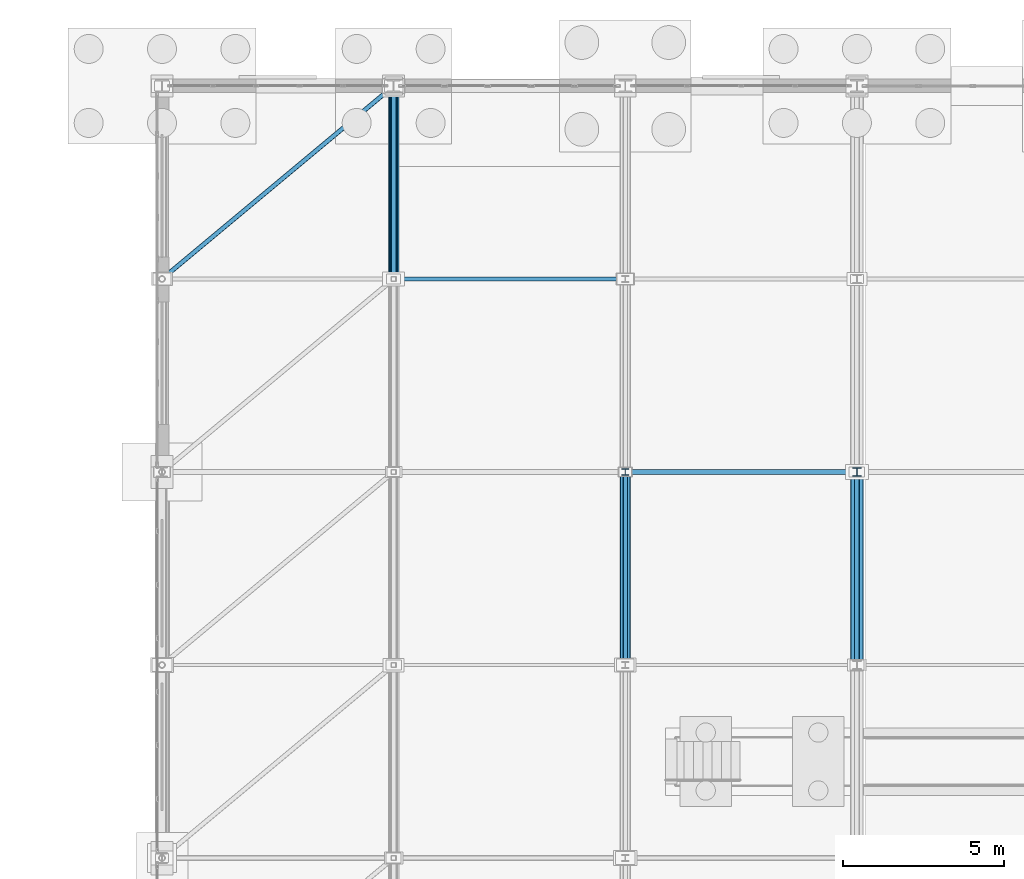
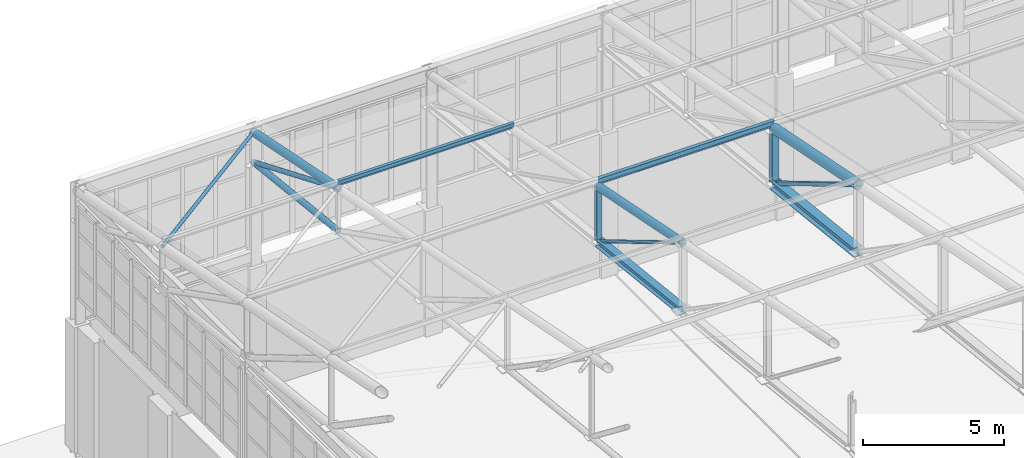
# One storey, part 200 of 293: 14 members.
"""IFC4 building model written with IfcOpenShell, lengths in metres."""

import ifcopenshell
import ifcopenshell.guid

model = None  # the IFC model being written
_history = None  # IfcOwnerHistory: only IFC2X3 demands one
_inside = {}  # id of a spatial element -> (the spatial element, [elements in it])
_under = {}  # id of a project, library or spatial element -> (it, [spatial elements below it])
_declared = {}  # id of a project -> (the project, [libraries it declares])
_typed = {}  # id of a type object -> (the type object, [elements of that type])
_made_of = {}  # id of a material, layer set ... -> (it, [elements and type objects made of it])


def new_model(schema):
    """Start an empty IFC model of exactly this schema.

    Asked for "IFC4X3", IfcOpenShell would pick the latest addendum, in which some entities
    have other attributes; the version numbers below select the first issue.
    IFC2X3 requires an IfcOwnerHistory on every rooted entity: one is made here for all.
    """
    global model, _history
    if schema == "IFC4X3":
        model = ifcopenshell.file(schema_version=(4, 3, 0, 0))
    else:
        model = ifcopenshell.file(schema=schema)
    _inside.clear()
    _under.clear()
    _declared.clear()
    _typed.clear()
    _made_of.clear()
    _history = None
    if model.schema == "IFC2X3":
        org = make("IfcOrganization", Name="unknown")
        user = make(
            "IfcPersonAndOrganization",
            ThePerson=make("IfcPerson", FamilyName="unknown"),
            TheOrganization=org,
        )
        app = make(
            "IfcApplication",
            ApplicationDeveloper=org,
            Version="unknown",
            ApplicationFullName="unknown",
            ApplicationIdentifier="unknown",
        )
        _history = make(
            "IfcOwnerHistory",
            OwningUser=user,
            OwningApplication=app,
            ChangeAction="ADDED",
            CreationDate=0,
        )
    return model


def make(cls, **values):
    """One entity of the class cls with the attributes given. An attribute that is None is left unset."""
    return model.create_entity(
        cls, **{name: value for name, value in values.items() if value is not None}
    )


def rooted(cls, **values):
    """An entity with a GlobalId (a new one), such as an element, a storey or a relation."""
    return make(cls, GlobalId=ifcopenshell.guid.new(), OwnerHistory=_history, **values)


def si_unit(unit_type, name, prefix=None):
    """IfcSIUnit, for example si_unit("LENGTHUNIT", "METRE", prefix="MILLI")."""
    return make("IfcSIUnit", UnitType=unit_type, Prefix=prefix, Name=name)


def assignment(units):
    """IfcUnitAssignment: the units of a project."""
    return None if units is None else make("IfcUnitAssignment", Units=units)


def point(xyz):
    """IfcCartesianPoint."""
    return None if xyz is None else make("IfcCartesianPoint", Coordinates=xyz)


def direction(xyz):
    """IfcDirection."""
    return None if xyz is None else make("IfcDirection", DirectionRatios=xyz)


def frame(location, z_axis=None, x_axis=None):
    """IfcAxis2Placement3D, a coordinate frame: its origin and axes. An axis left out is left unset."""
    return make(
        "IfcAxis2Placement3D",
        Location=point(location),
        Axis=direction(z_axis),
        RefDirection=direction(x_axis),
    )


def frame_2d(location, x_axis=None):
    """IfcAxis2Placement2D, a coordinate frame in the plane: its origin and x axis."""
    return make(
        "IfcAxis2Placement2D", Location=point(location), RefDirection=direction(x_axis)
    )


def origin():
    """The frame at (0, 0, 0) with its axes left unset."""
    return frame((0.0, 0.0, 0.0))


def origin_2d():
    """The frame at (0, 0) in the plane with its x axis left unset."""
    return frame_2d((0.0, 0.0))


def place(relative_to, where):
    """IfcLocalPlacement: puts the frame where relative to a parent placement (None: the world)."""
    return make(
        "IfcLocalPlacement", PlacementRelTo=relative_to, RelativePlacement=where
    )


def context(
    kind, dimensions, precision=None, world=None, true_north=None, identifier=None
):
    """IfcGeometricRepresentationContext, for example the 3D "Model" context."""
    return make(
        "IfcGeometricRepresentationContext",
        ContextIdentifier=identifier,
        ContextType=kind,
        CoordinateSpaceDimension=dimensions,
        Precision=precision,
        WorldCoordinateSystem=world,
        TrueNorth=true_north,
    )


def subcontext(parent, identifier, kind, view, scale=None):
    """IfcGeometricRepresentationSubContext, for example "Body" below "Model"."""
    return make(
        "IfcGeometricRepresentationSubContext",
        ContextIdentifier=identifier,
        ContextType=kind,
        ParentContext=parent,
        TargetScale=scale,
        TargetView=view,
    )


def project(units=None, contexts=None):
    """IfcProject with its units and contexts."""
    return rooted(
        "IfcProject",
        Name="project",
        RepresentationContexts=contexts,
        UnitsInContext=assignment(units),
    )


def spatial(cls, under=None, at=None, **own):
    """A site, building, storey or space (cls), placed at a placement, below another one or the project."""
    s = rooted(cls, ObjectPlacement=at, **own)
    if under is not None:
        _under.setdefault(under.id(), (under, []))[1].append(s)
    return s


def profile(cls, at=None, kind="AREA", **sizes):
    """A parametric profile (cls). Its sizes go by their IFC names, for example OverallWidth=200.0."""
    return make(cls, ProfileType=kind, Position=at, **sizes)


def hollow_rectangle(**sizes):
    """IfcRectangleHollowProfileDef."""
    return profile("IfcRectangleHollowProfileDef", **sizes)


def hollow_circle(**sizes):
    """IfcCircleHollowProfileDef."""
    return profile("IfcCircleHollowProfileDef", **sizes)


def i_section(**sizes):
    """IfcIShapeProfileDef."""
    return profile("IfcIShapeProfileDef", **sizes)


def extrude(swept, where, along, depth):
    """IfcExtrudedAreaSolid: the profile swept, set in the frame where, extruded along a direction by depth."""
    return make(
        "IfcExtrudedAreaSolid",
        SweptArea=swept,
        Position=where,
        ExtrudedDirection=direction(along),
        Depth=depth,
    )


def shape(context_of_items, identifier, shape_type, items):
    """IfcShapeRepresentation: the items that make up one representation, for example the "Body"."""
    return make(
        "IfcShapeRepresentation",
        ContextOfItems=context_of_items,
        RepresentationIdentifier=identifier,
        RepresentationType=shape_type,
        Items=items,
    )


def material(Name=None, Category=None):
    """IfcMaterial."""
    return make("IfcMaterial", Name=Name, Category=Category)


def material_profile(
    of_material, cross_section, Name=None, Category=None, Priority=None
):
    """IfcMaterialProfile: a cross section and its material."""
    return make(
        "IfcMaterialProfile",
        Name=Name,
        Material=of_material,
        Profile=cross_section,
        Priority=Priority,
        Category=Category,
    )


def profile_set(profiles, Name=None, composite=None):
    """IfcMaterialProfileSet."""
    return make(
        "IfcMaterialProfileSet",
        Name=Name,
        MaterialProfiles=profiles,
        CompositeProfile=composite,
    )


def made_of(thing, what):
    """Note that an element or type object is made of a material, layer set ...; save() writes the relation."""
    if what is not None:
        _made_of.setdefault(what.id(), (what, []))[1].append(thing)
    return thing


def type_object(cls, material=None, **own):
    """A type object (cls), such as IfcWallType, which elements share."""
    return made_of(rooted(cls, **own), material)


def element(
    cls,
    number,
    at=None,
    inside=None,
    cuts=None,
    type_object=None,
    material=None,
    context=None,
    identifier="Body",
    shape_type=None,
    held_by="IfcProductDefinitionShape",
    body=None,
    shapes=None,
    **own,
):
    """One element of the class cls, such as IfcWall. Its Tag is "e" and its number.

    at: its placement. inside: the storey or other place that contains it. cuts: it is an
    opening in that element (IfcRelVoidsElement). A single representation is given by context,
    identifier, shape_type and body (its items); several are given by shapes. held_by: the class
    of the entity that holds the representations. save() writes the other relations.
    """
    e = rooted(cls, Tag="e%d" % number, ObjectPlacement=at, **own)
    if body is not None:
        shapes = [shape(context, identifier, shape_type, body)]
    if shapes is not None:
        e.Representation = make(held_by, Representations=shapes)
    if inside is not None:
        _inside.setdefault(inside.id(), (inside, []))[1].append(e)
    if cuts is not None:
        rooted(
            "IfcRelVoidsElement", RelatingBuildingElement=cuts, RelatedOpeningElement=e
        )
    if type_object is not None:
        _typed.setdefault(type_object.id(), (type_object, []))[1].append(e)
    return made_of(e, material)


def aggregate(whole, parts):
    """IfcRelAggregates: a whole, such as a stair, and the parts it consists of."""
    return rooted("IfcRelAggregates", RelatingObject=whole, RelatedObjects=parts)


def save(model, path):
    """Write the relations noted so far, then the file.

    IfcRelAggregates (storeys below a building ...), IfcRelContainedInSpatialStructure (elements
    in a storey), IfcRelDefinesByType, IfcRelAssociatesMaterial and IfcRelDeclares: one each for
    every whole, place, type object, material and project.
    """
    for whole, parts in _under.values():
        aggregate(whole, parts)
    for where, things in _inside.values():
        rooted(
            "IfcRelContainedInSpatialStructure",
            RelatedElements=things,
            RelatingStructure=where,
        )
    for kind, things in _typed.values():
        rooted("IfcRelDefinesByType", RelatedObjects=things, RelatingType=kind)
    for what, things in _made_of.values():
        rooted("IfcRelAssociatesMaterial", RelatedObjects=things, RelatingMaterial=what)
    for by, libraries in _declared.values():
        rooted("IfcRelDeclares", RelatingContext=by, RelatedDefinitions=libraries)
    model.write(path)


model = new_model("IFC4")

# Units and contexts
model_context = context("Model", 3, precision=1e-05, world=origin(), true_north=direction((0.0, 1.0)))
body_context = subcontext(model_context, "Body", "Model", "MODEL_VIEW")
ifc_project = project(units=[si_unit("LENGTHUNIT", "METRE"), si_unit("AREAUNIT", "SQUARE_METRE"), si_unit("VOLUMEUNIT", "CUBIC_METRE"), si_unit("PLANEANGLEUNIT", "RADIAN"), si_unit("MASSUNIT", "GRAM", prefix="KILO")], contexts=[model_context])

# Site, building, storey
site_placement = place(None, origin())
site = spatial("IfcSite", under=ifc_project, at=site_placement, CompositionType="ELEMENT")
building_placement = place(site_placement, origin())
building = spatial("IfcBuilding", under=site, at=building_placement, Name="Kemerveld Promenade Tramway Depot", CompositionType="ELEMENT")
storey_placement = place(building_placement, origin())
storey = spatial("IfcBuildingStorey", under=building, at=storey_placement, Name="L00", CompositionType="ELEMENT", Elevation=0.0)

# Members
ifc_material = material(Name="Steel S355", Category="steel")
ifc_material_profile_1 = material_profile(ifc_material, i_section(OverallWidth=0.25634765625, OverallDepth=0.26025390625, WebThickness=0.01025390625, FlangeThickness=0.017333984375, FilletRadius=0.0126953125, at=origin_2d()), Name="254x254x89 UC")
ifc_profile_set_1 = profile_set([ifc_material_profile_1], Name="Steel S355")
member_type_1 = type_object("IfcMemberType", Name="MB-M04", PredefinedType="POST", material=ifc_profile_set_1)
member_1_placement = place(storey_placement, frame((57.60009765625, 132.0, 11.1201171875), z_axis=(0.0, 0.0, 1.0), x_axis=(1.0, 0.0, 0.0)))
element("IfcMember", 1, at=member_1_placement, inside=storey, type_object=member_type_1, Name="TR-09-VT-08", PredefinedType="POST", context=body_context, shape_type="SweptSolid", body=[
    extrude(i_section(OverallWidth=0.25634765625, OverallDepth=0.26025390625, WebThickness=0.01025390625, FlangeThickness=0.017333984375, FilletRadius=0.0126953125, at=origin_2d()), origin(), (0.0, 0.0, 1.0), 2.3798828125),
])
ifc_material_profile_2 = material_profile(ifc_material, i_section(OverallWidth=0.37255859375, OverallDepth=0.3681640625, WebThickness=0.014404296875, FlangeThickness=0.023681640625, FilletRadius=0.01513671875, at=origin_2d()), Name="356x368x177 UC")
ifc_profile_set_2 = profile_set([ifc_material_profile_2], Name="Steel S355")
member_type_2 = type_object("IfcMemberType", Name="MB-M08", PredefinedType="CHORD", material=ifc_profile_set_2)
member_2_placement = place(storey_placement, frame((57.60009765625, 126.0, 11.780029296875), z_axis=(0.0, 0.994005938353, -0.109326092585), x_axis=(-1.0, 0.0, 0.0)))
element("IfcMember", 2, at=member_2_placement, inside=storey, type_object=member_type_2, Name="TR-09-BC-08", PredefinedType="CHORD", context=body_context, shape_type="SweptSolid", body=[
    extrude(i_section(OverallWidth=0.37255859375, OverallDepth=0.3681640625, WebThickness=0.014404296875, FlangeThickness=0.023681640625, FilletRadius=0.01513671875, at=origin_2d()), origin(), (0.0, 0.0, 1.0), 6.0361328125),
])
ifc_material_profile_3 = material_profile(ifc_material, i_section(OverallWidth=0.146484375, OverallDepth=0.256103515625, WebThickness=0.00634765625, FlangeThickness=0.010986328125, FilletRadius=0.007568359375, at=origin_2d()), Name="254x146x37 UB")
ifc_profile_set_3 = profile_set([ifc_material_profile_3], Name="Steel S355")
member_type_3 = type_object("IfcMemberType", Name="MB-PR3", PredefinedType="PURLIN", material=ifc_profile_set_3)
member_3_placement = place(storey_placement, frame((50.39990234375, 132.0, 13.7451171875), z_axis=(1.0, 0.0, 0.0), x_axis=(0.0, 1.0, 0.0)))
element("IfcMember", 3, at=member_3_placement, inside=storey, type_object=member_type_3, Name="PUR-V1-08-08", PredefinedType="PURLIN", context=body_context, shape_type="SweptSolid", body=[
    extrude(i_section(OverallWidth=0.146484375, OverallDepth=0.256103515625, WebThickness=0.00634765625, FlangeThickness=0.010986328125, FilletRadius=0.007568359375, at=origin_2d()), origin(), (0.0, 0.0, 1.0), 7.2001953125),
])
ifc_material_profile_4 = material_profile(ifc_material, i_section(OverallWidth=0.13330078125, OverallDepth=0.203125, WebThickness=0.005615234375, FlangeThickness=0.0078125, FilletRadius=0.007568359375, at=origin_2d()), Name="203x133x25 UB")
ifc_profile_set_4 = profile_set([ifc_material_profile_4], Name="Steel S355")
member_type_4 = type_object("IfcMemberType", Name="MB-PR4", PredefinedType="PURLIN", material=ifc_profile_set_4)
member_4_placement = place(storey_placement, frame((43.199951171875, 138.0, 12.544921875), z_axis=(1.0, 0.0, 0.0), x_axis=(0.0, 1.0, 0.0)))
element("IfcMember", 4, at=member_4_placement, inside=storey, type_object=member_type_4, Name="PUR-V1-09-07", PredefinedType="PURLIN", context=body_context, shape_type="SweptSolid", body=[
    extrude(i_section(OverallWidth=0.13330078125, OverallDepth=0.203125, WebThickness=0.005615234375, FlangeThickness=0.0078125, FilletRadius=0.007568359375, at=origin_2d()), origin(), (0.0, 0.0, 1.0), 7.199951171875),
])
ifc_material_profile_5 = material_profile(ifc_material, hollow_circle(Radius=0.096923828125, WallThickness=0.008056640625, at=origin_2d()), Name="193.7x8.0 CHS")
ifc_profile_set_5 = profile_set([ifc_material_profile_5], Name="Steel S355")
member_type_5 = type_object("IfcMemberType", Name="MB-TB2", PredefinedType="BRACE", material=ifc_profile_set_5)
member_5_placement = place(storey_placement, frame((43.199951171875, 144.0, 9.800048828125), z_axis=(0.0, -0.923076923077, 0.384615384615), x_axis=(1.0, 0.0, 0.0)))
element("IfcMember", 5, at=member_5_placement, inside=storey, type_object=member_type_5, Name="TR-07-DG-10", PredefinedType="BRACE", context=body_context, shape_type="SweptSolid", body=[
    extrude(hollow_circle(Radius=0.096923828125, WallThickness=0.008056640625, at=origin_2d()), origin(), (0.0, 0.0, 1.0), 6.5),
])
ifc_material_profile_6 = material_profile(ifc_material, hollow_circle(Radius=0.06982421875, WallThickness=0.00634765625, at=origin_2d()), Name="139.7x6.3 CHS")
ifc_profile_set_6 = profile_set([ifc_material_profile_6], Name="Steel S355")
member_type_6 = type_object("IfcMemberType", Name="MB-TB3", PredefinedType="BRACE", material=ifc_profile_set_6)
member_6_placement = place(storey_placement, frame((50.39990234375, 132.0, 11.1201171875), z_axis=(0.0, -0.8587636701, 0.512371895128), x_axis=(1.0, 0.0, 0.0)))
element("IfcMember", 6, at=member_6_placement, inside=storey, type_object=member_type_6, Name="TR-08-DG-08", PredefinedType="BRACE", context=body_context, shape_type="SweptSolid", body=[
    extrude(hollow_circle(Radius=0.06982421875, WallThickness=0.00634765625, at=origin_2d()), origin(), (0.0, 0.0, 1.0), 6.98681640625),
])
member_7_placement = place(storey_placement, frame((36.0, 138.0, 12.300048828125), z_axis=(0.761999094998, 0.635003552225, -0.126995542773), x_axis=(-0.640186961885, 0.768219144407, 0.0)))
element("IfcMember", 7, at=member_7_placement, inside=storey, type_object=member_type_6, Name="RBR-V1-09-06", PredefinedType="BRACE", context=body_context, shape_type="SweptSolid", body=[
    extrude(hollow_circle(Radius=0.06982421875, WallThickness=0.00634765625, at=origin_2d()), origin(), (0.0, 0.0, 1.0), 9.44873046875),
])
ifc_material_profile_7 = material_profile(ifc_material, hollow_rectangle(XDim=0.14990234375, YDim=0.14990234375, WallThickness=0.008056640625, InnerFilletRadius=0.00390625, OuterFilletRadius=0.011962890625, at=origin_2d()), Name="150x150x8.0 SHS")
ifc_profile_set_7 = profile_set([ifc_material_profile_7], Name="Steel S355")
member_type_7 = type_object("IfcMemberType", Name="MB-TB4", PredefinedType="BRACE", material=ifc_profile_set_7)
member_8_placement = place(storey_placement, frame((57.60009765625, 132.0, 11.1201171875), z_axis=(0.0, -0.8587636701, 0.512371895128), x_axis=(1.0, 0.0, 0.0)))
element("IfcMember", 8, at=member_8_placement, inside=storey, type_object=member_type_7, Name="TR-09-DG-08", PredefinedType="BRACE", context=body_context, shape_type="SweptSolid", body=[
    extrude(hollow_rectangle(XDim=0.14990234375, YDim=0.14990234375, WallThickness=0.008056640625, InnerFilletRadius=0.00390625, OuterFilletRadius=0.011962890625, at=origin_2d()), origin(), (0.0, 0.0, 1.0), 6.98681640625),
])
ifc_material_profile_8 = material_profile(ifc_material, hollow_circle(Radius=0.203125, WallThickness=0.01611328125, at=origin_2d()), Name="406.4x16.0 CHS")
ifc_profile_set_8 = profile_set([ifc_material_profile_8], Name="Steel S355")
member_type_8 = type_object("IfcMemberType", Name="MB-TC1", PredefinedType="CHORD", material=ifc_profile_set_8)
member_9_placement = place(storey_placement, frame((57.60009765625, 126.0, 14.699951171875), z_axis=(0.0, 0.980582210276, -0.196108462057), x_axis=(-1.0, 0.0, 0.0)))
element("IfcMember", 9, at=member_9_placement, inside=storey, type_object=member_type_8, Name="TR-09-TC-08", PredefinedType="CHORD", context=body_context, shape_type="SweptSolid", body=[
    extrude(hollow_circle(Radius=0.203125, WallThickness=0.01611328125, at=origin_2d()), origin(), (0.0, 0.0, 1.0), 6.118896484375),
])
ifc_material_profile_9 = material_profile(ifc_material, hollow_circle(Radius=0.161865234375, WallThickness=0.012451171875, at=origin_2d()), Name="323.9x12.5 CHS")
ifc_profile_set_9 = profile_set([ifc_material_profile_9], Name="Steel S355")
member_type_9 = type_object("IfcMemberType", Name="MB-TC2", PredefinedType="CHORD", material=ifc_profile_set_9)
for number, where, z_axis, x_axis, name in (
    (10, (43.199951171875, 138.0, 12.300048828125), (0.0, 0.980582210276, -0.196108462057), (-1.0, 0.0, 0.0), "TR-07-TC-10"),
    (11, (50.39990234375, 126.0, 14.699951171875), (0.0, 0.980582210276, -0.196108462057), (-1.0, 0.0, 0.0), "TR-08-TC-08"),
):
    element("IfcMember", number, at=place(storey_placement, frame(where, z_axis=z_axis, x_axis=x_axis)), inside=storey, type_object=member_type_9, Name=name, PredefinedType="CHORD", context=body_context, shape_type="SweptSolid", body=[
        extrude(hollow_circle(Radius=0.161865234375, WallThickness=0.012451171875, at=origin_2d()), origin(), (0.0, 0.0, 1.0), 6.118896484375),
    ])
ifc_material_profile_10 = material_profile(ifc_material, hollow_circle(Radius=0.122314453125, WallThickness=0.010009765625, at=origin_2d()), Name="244.5x10.0 CHS")
ifc_profile_set_10 = profile_set([ifc_material_profile_10], Name="Steel S355")
member_type_10 = type_object("IfcMemberType", Name="MB-TC3", PredefinedType="CHORD", material=ifc_profile_set_10)
member_10_placement = place(storey_placement, frame((43.199951171875, 138.0, 10.4599609375), z_axis=(0.0, 0.994005938353, -0.109326092585), x_axis=(-1.0, 0.0, 0.0)))
element("IfcMember", 12, at=member_10_placement, inside=storey, type_object=member_type_10, Name="TR-07-BC-10", PredefinedType="CHORD", context=body_context, shape_type="SweptSolid", body=[
    extrude(hollow_circle(Radius=0.122314453125, WallThickness=0.010009765625, at=origin_2d()), origin(), (0.0, 0.0, 1.0), 6.0361328125),
])
ifc_material_profile_11 = material_profile(ifc_material, i_section(OverallWidth=0.307373046875, OverallDepth=0.314453125, WebThickness=0.011962890625, FlangeThickness=0.018798828125, FilletRadius=0.01513671875, at=origin_2d()), Name="305x305x118 UC")
ifc_profile_set_11 = profile_set([ifc_material_profile_11], Name="Steel S355")
member_type_11 = type_object("IfcMemberType", Name="MB-TC4", PredefinedType="CHORD", material=ifc_profile_set_11)
member_11_placement = place(storey_placement, frame((50.39990234375, 126.0, 11.780029296875), z_axis=(0.0, 0.994005938353, -0.109326092585), x_axis=(-1.0, 0.0, 0.0)))
element("IfcMember", 13, at=member_11_placement, inside=storey, type_object=member_type_11, Name="TR-08-BC-08", PredefinedType="CHORD", context=body_context, shape_type="SweptSolid", body=[
    extrude(i_section(OverallWidth=0.307373046875, OverallDepth=0.314453125, WebThickness=0.011962890625, FlangeThickness=0.018798828125, FilletRadius=0.01513671875, at=origin_2d()), origin(), (0.0, 0.0, 1.0), 6.0361328125),
])
ifc_material_profile_12 = material_profile(ifc_material, i_section(OverallWidth=0.205810546875, OverallDepth=0.209716796875, WebThickness=0.009521484375, FlangeThickness=0.01416015625, FilletRadius=0.01025390625, at=origin_2d()), Name="203x203x60 UC")
ifc_profile_set_12 = profile_set([ifc_material_profile_12], Name="Steel S355")
member_type_12 = type_object("IfcMemberType", Name="MB-TP3", PredefinedType="POST", material=ifc_profile_set_12)
member_12_placement = place(storey_placement, frame((50.39990234375, 132.0, 11.1201171875), z_axis=(0.0, 0.0, 1.0), x_axis=(1.0, 0.0, 0.0)))
element("IfcMember", 14, at=member_12_placement, inside=storey, type_object=member_type_12, Name="TR-08-VT-08", PredefinedType="POST", context=body_context, shape_type="SweptSolid", body=[
    extrude(i_section(OverallWidth=0.205810546875, OverallDepth=0.209716796875, WebThickness=0.009521484375, FlangeThickness=0.01416015625, FilletRadius=0.01025390625, at=origin_2d()), origin(), (0.0, 0.0, 1.0), 2.3798828125),
])

save(model, "model.ifc")
